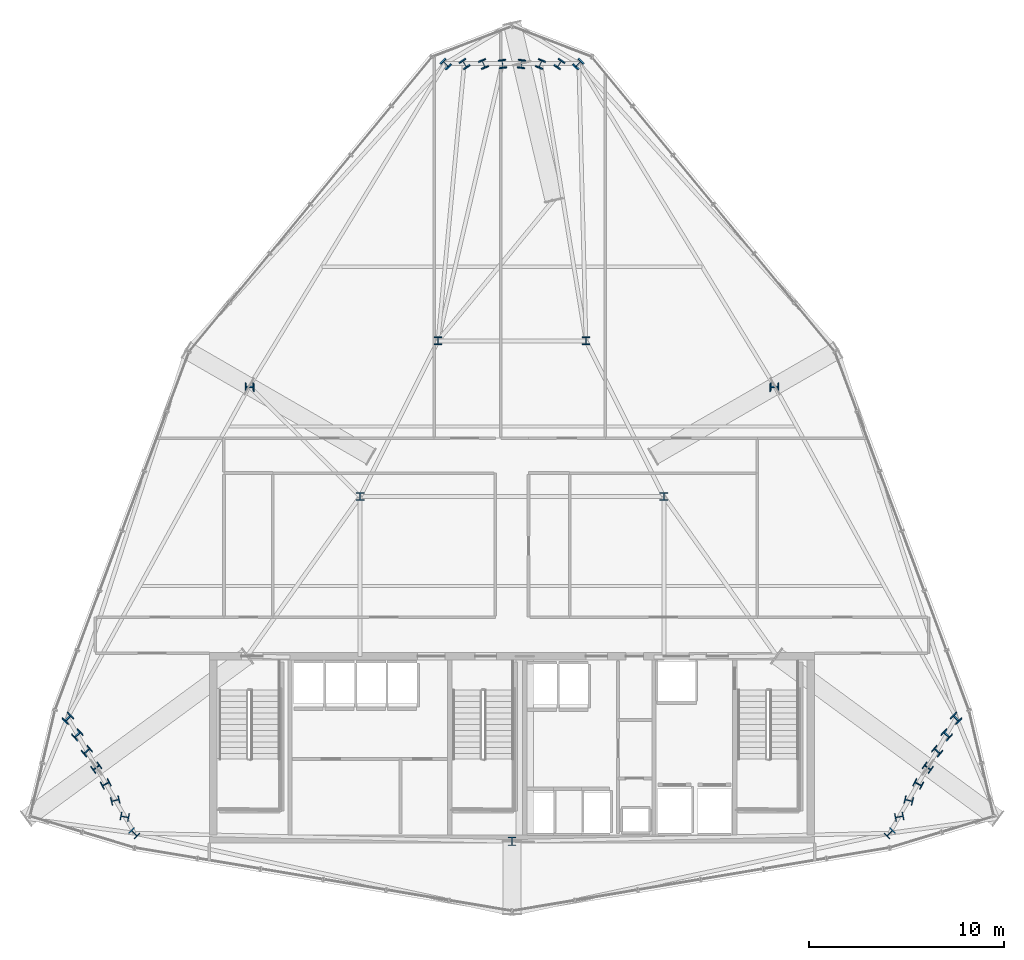
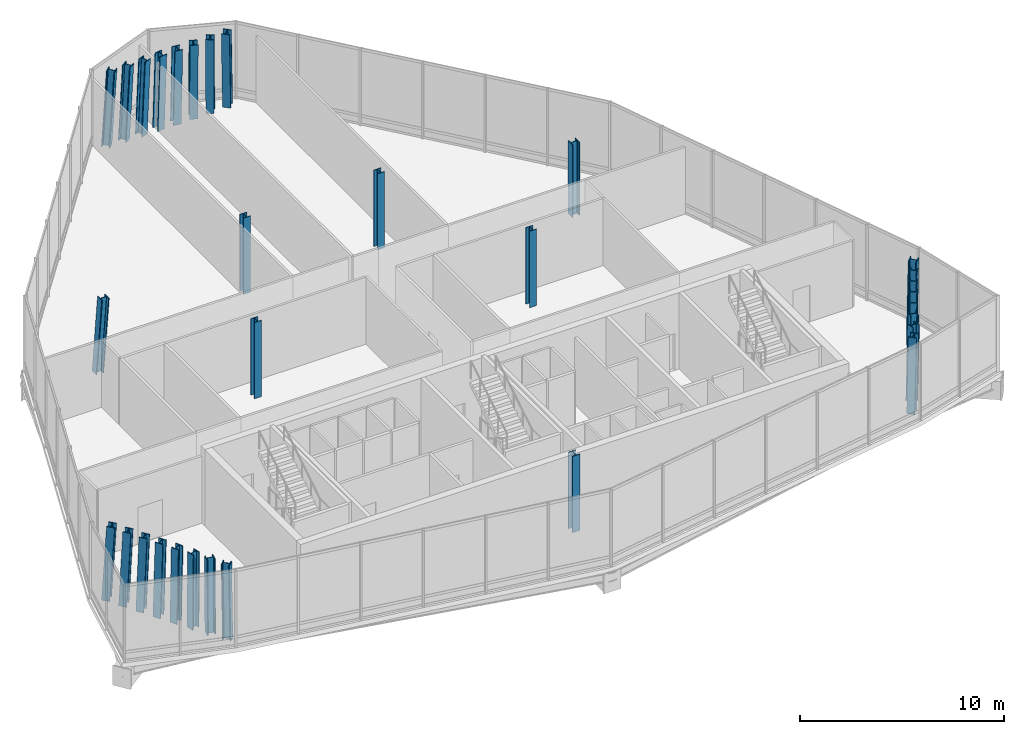
# One storey, part 1 of 28: 31 columns.
"""IFC4 building model written with IfcOpenShell, lengths in metres."""

from ifc_helpers import new_model, si_unit, direction, frame, origin, origin_2d, place, context, subcontext, project, spatial, i_section, extrude, material, material_profile, profile_set, type_object, element, save


model = new_model("IFC4")

# Units and contexts
model_context = context("Model", 3, precision=1e-05, world=origin(), true_north=direction((0.0, 1.0)))
body_context = subcontext(model_context, "Body", "Model", "MODEL_VIEW")
ifc_project = project(units=[si_unit("LENGTHUNIT", "METRE"), si_unit("AREAUNIT", "SQUARE_METRE"), si_unit("VOLUMEUNIT", "CUBIC_METRE"), si_unit("PLANEANGLEUNIT", "RADIAN"), si_unit("MASSUNIT", "GRAM", prefix="KILO")], contexts=[model_context])

# Site, building, storey
site_placement = place(None, origin())
site = spatial("IfcSite", under=ifc_project, at=site_placement, CompositionType="ELEMENT")
building_placement = place(site_placement, origin())
building = spatial("IfcBuilding", under=site, at=building_placement, Name="Ndaravel Arena Tower", CompositionType="ELEMENT")
storey_placement = place(building_placement, frame((0.0, 0.0, 213.199951171875)))
storey = spatial("IfcBuildingStorey", under=building, at=storey_placement, Name="L51", CompositionType="ELEMENT", Elevation=213.199951171875)

# Columns
ifc_material_1 = material(Name="Steel S355", Category="steel")
ifc_material_profile_1 = material_profile(ifc_material_1, i_section(OverallWidth=0.39892578125, OverallDepth=0.3935546875, WebThickness=0.022705078125, FlangeThickness=0.03662109375, FilletRadius=0.01513671875, at=origin_2d()), Name="UC 356x406x287")
ifc_profile_set_1 = profile_set([ifc_material_profile_1], Name="Steel S355")
column_type_1 = type_object("IfcColumnType", Name="COL-INT-UC287", PredefinedType="COLUMN", material=ifc_profile_set_1)
for number, where, z_axis, x_axis, name in (
    (1, (34.199951171875, 23.199951171875, 0.0), (0.0, 0.0, 1.0), (1.0, 0.0, 0.0), "L51 Interior Spine Column IC-01"),
    (2, (49.800048828125, 23.199951171875, 0.0), (0.0, 0.0, 1.0), (1.0, 0.0, 0.0), "L51 Interior Spine Column IC-02"),
    (3, (38.199951171875, 31.199951171875, 0.0), (0.0, 0.0, 1.0), (1.0, 0.0, 0.0), "L51 Interior Spine Column IC-03"),
    (4, (45.800048828125, 31.199951171875, 0.0), (0.0, 0.0, 1.0), (1.0, 0.0, 0.0), "L51 Interior Spine Column IC-04"),
):
    element("IfcColumn", number, at=place(storey_placement, frame(where, z_axis=z_axis, x_axis=x_axis)), inside=storey, type_object=column_type_1, Name=name, PredefinedType="COLUMN", context=body_context, shape_type="SweptSolid", body=[
        extrude(i_section(OverallWidth=0.39892578125, OverallDepth=0.3935546875, WebThickness=0.022705078125, FlangeThickness=0.03662109375, FilletRadius=0.01513671875, at=origin_2d()), origin(), (0.0, 0.0, 1.0), 4.580078125),
    ])
ifc_material_2 = material(Name="Steel S355", Category="steel")
ifc_material_profile_2 = material_profile(ifc_material_2, i_section(OverallWidth=0.412109375, OverallDepth=0.43505859375, WebThickness=0.035888671875, FlangeThickness=0.0439453125, FilletRadius=0.014892578125, at=origin_2d()), Name="HD 400x463")
ifc_profile_set_2 = profile_set([ifc_material_profile_2], Name="Steel S355")
column_type_2 = type_object("IfcColumnType", Name="COL-TUBE-HD463", PredefinedType="COLUMN", material=ifc_profile_set_2)
column_1_placement = place(storey_placement, frame((42.0, 5.47998046875, 0.0), z_axis=(0.0, 0.0, 1.0), x_axis=(1.0, 0.0, 0.0)))
element("IfcColumn", 5, at=column_1_placement, inside=storey, type_object=column_type_2, Name="L51 Framed Tube Column TC-01", PredefinedType="COLUMN", context=body_context, shape_type="SweptSolid", body=[
    extrude(i_section(OverallWidth=0.412109375, OverallDepth=0.43505859375, WebThickness=0.035888671875, FlangeThickness=0.0439453125, FilletRadius=0.014892578125, at=origin_2d()), origin(), (0.0, 0.0, 1.0), 4.580078125),
])
for number, where, z_axis, x_axis, name in (
    (6, (61.397216796875, 5.904541015625, 0.0), (0.01828031186, -0.004849878657, 0.999821138442), (-0.708699794834, 0.705320021308, 0.016378899337), "L51 Framed Tube Column TC-02"),
    (7, (61.88720703125, 6.753662109375, 0.0), (0.012737499781, -0.01449623406, 0.999813790312), (-0.195925481207, 0.980476372631, 0.016711927685), "L51 Framed Tube Column TC-03"),
):
    element("IfcColumn", number, at=place(storey_placement, frame(where, z_axis=z_axis, x_axis=x_axis)), inside=storey, type_object=column_type_2, Name=name, PredefinedType="COLUMN", context=body_context, shape_type="SweptSolid", body=[
        extrude(i_section(OverallWidth=0.412109375, OverallDepth=0.43505859375, WebThickness=0.035888671875, FlangeThickness=0.0439453125, FilletRadius=0.014892578125, at=origin_2d()), origin(), (0.0, 0.0, 1.0), 4.580810546875),
    ])
column_2_placement = place(storey_placement, frame((62.37744140625, 7.602783203125, 0.0), z_axis=(0.007140584367, -0.02419272614, 0.999681811406), x_axis=(0.234470484719, 0.971877762292, 0.021845067118)))
element("IfcColumn", 8, at=column_2_placement, inside=storey, type_object=column_type_2, Name="L51 Framed Tube Column TC-04", PredefinedType="COLUMN", context=body_context, shape_type="SweptSolid", body=[
    extrude(i_section(OverallWidth=0.412109375, OverallDepth=0.43505859375, WebThickness=0.035888671875, FlangeThickness=0.0439453125, FilletRadius=0.014892578125, at=origin_2d()), origin(), (0.0, 0.0, 1.0), 4.58154296875),
])
column_3_placement = place(storey_placement, frame((62.86767578125, 8.451904296875, 0.0), z_axis=(0.001544952789, -0.0338824129, 0.999424632084), x_axis=(0.460056130679, 0.887403827486, 0.02937351847)))
element("IfcColumn", 9, at=column_3_placement, inside=storey, type_object=column_type_2, Name="L51 Framed Tube Column TC-05", PredefinedType="COLUMN", context=body_context, shape_type="SweptSolid", body=[
    extrude(i_section(OverallWidth=0.412109375, OverallDepth=0.43505859375, WebThickness=0.035888671875, FlangeThickness=0.0439453125, FilletRadius=0.014892578125, at=origin_2d()), origin(), (0.0, 0.0, 1.0), 4.582763671875),
])
column_4_placement = place(storey_placement, frame((63.35791015625, 9.30078125, 0.0), z_axis=(-0.004047312636, -0.043455356721, 0.999047171675), x_axis=(0.578080494767, 0.815103907483, 0.037796316957)))
element("IfcColumn", 10, at=column_4_placement, inside=storey, type_object=column_type_2, Name="L51 Framed Tube Column TC-06", PredefinedType="COLUMN", context=body_context, shape_type="SweptSolid", body=[
    extrude(i_section(OverallWidth=0.412109375, OverallDepth=0.43505859375, WebThickness=0.035888671875, FlangeThickness=0.0439453125, FilletRadius=0.014892578125, at=origin_2d()), origin(), (0.0, 0.0, 1.0), 4.58447265625),
])
column_5_placement = place(storey_placement, frame((63.84814453125, 10.14990234375, 0.0), z_axis=(-0.009634116943, -0.0531207111, 0.99854162349), x_axis=(0.64629259386, 0.76165603359, 0.046754353998)))
element("IfcColumn", 11, at=column_5_placement, inside=storey, type_object=column_type_2, Name="L51 Framed Tube Column TC-07", PredefinedType="COLUMN", context=body_context, shape_type="SweptSolid", body=[
    extrude(i_section(OverallWidth=0.412109375, OverallDepth=0.43505859375, WebThickness=0.035888671875, FlangeThickness=0.0439453125, FilletRadius=0.014892578125, at=origin_2d()), origin(), (0.0, 0.0, 1.0), 4.586669921875),
])
column_6_placement = place(storey_placement, frame((64.33837890625, 10.9990234375, 0.0), z_axis=(-0.015160191607, -0.06276851262, 0.997912963346), x_axis=(0.688921453419, 0.722675544646, 0.055922161882)))
element("IfcColumn", 12, at=column_6_placement, inside=storey, type_object=column_type_2, Name="L51 Framed Tube Column TC-08", PredefinedType="COLUMN", context=body_context, shape_type="SweptSolid", body=[
    extrude(i_section(OverallWidth=0.412109375, OverallDepth=0.43505859375, WebThickness=0.035888671875, FlangeThickness=0.0439453125, FilletRadius=0.014892578125, at=origin_2d()), origin(), (0.0, 0.0, 1.0), 4.589599609375),
])
column_7_placement = place(storey_placement, frame((64.82861328125, 11.84814453125, 0.0), z_axis=(-0.020729963807, -0.07234225831, 0.997164412854), x_axis=(0.718540476241, 0.692424893906, 0.065171698632)))
element("IfcColumn", 13, at=column_7_placement, inside=storey, type_object=column_type_2, Name="L51 Framed Tube Column TC-09", PredefinedType="COLUMN", context=body_context, shape_type="SweptSolid", body=[
    extrude(i_section(OverallWidth=0.412109375, OverallDepth=0.43505859375, WebThickness=0.035888671875, FlangeThickness=0.0439453125, FilletRadius=0.014892578125, at=origin_2d()), origin(), (0.0, 0.0, 1.0), 4.593017578125),
])
column_8_placement = place(storey_placement, frame((55.497802734375, 28.858642578125, 0.0), z_axis=(-0.034089072868, -0.058977818738, 0.997677078021), x_axis=(-0.000520891795, 0.998258179369, 0.058994372563)))
element("IfcColumn", 14, at=column_8_placement, inside=storey, type_object=column_type_2, Name="L51 Framed Tube Column TC-10", PredefinedType="COLUMN", context=body_context, shape_type="SweptSolid", body=[
    extrude(i_section(OverallWidth=0.412109375, OverallDepth=0.43505859375, WebThickness=0.035888671875, FlangeThickness=0.0439453125, FilletRadius=0.014892578125, at=origin_2d()), origin(), (0.0, 0.0, 1.0), 4.5908203125),
])
column_9_placement = place(storey_placement, frame((45.431396484375, 45.44482421875, 0.0), z_axis=(-0.039010247389, -0.040766506821, 0.99840687724), x_axis=(0.722498451413, -0.691372539016, 0.0)))
element("IfcColumn", 15, at=column_9_placement, inside=storey, type_object=column_type_2, Name="L51 Framed Tube Column TC-11", PredefinedType="COLUMN", context=body_context, shape_type="SweptSolid", body=[
    extrude(i_section(OverallWidth=0.412109375, OverallDepth=0.43505859375, WebThickness=0.035888671875, FlangeThickness=0.0439453125, FilletRadius=0.014892578125, at=origin_2d()), origin(), (0.0, 0.0, 1.0), 4.58740234375),
])
column_10_placement = place(storey_placement, frame((44.451171875, 45.44482421875, 0.0), z_axis=(-0.027897652231, -0.04078168246, 0.998778541708), x_axis=(0.825360115812, -0.564606658858, 0.0)))
element("IfcColumn", 16, at=column_10_placement, inside=storey, type_object=column_type_2, Name="L51 Framed Tube Column TC-12", PredefinedType="COLUMN", context=body_context, shape_type="SweptSolid", body=[
    extrude(i_section(OverallWidth=0.412109375, OverallDepth=0.43505859375, WebThickness=0.035888671875, FlangeThickness=0.0439453125, FilletRadius=0.014892578125, at=origin_2d()), origin(), (0.0, 0.0, 1.0), 4.585693359375),
])
column_11_placement = place(storey_placement, frame((43.470703125, 45.44482421875, 0.0), z_axis=(-0.016774704484, -0.040791821062, 0.999026844796), x_axis=(0.924853035137, -0.380324681551, 0.0)))
element("IfcColumn", 17, at=column_11_placement, inside=storey, type_object=column_type_2, Name="L51 Framed Tube Column TC-13", PredefinedType="COLUMN", context=body_context, shape_type="SweptSolid", body=[
    extrude(i_section(OverallWidth=0.412109375, OverallDepth=0.43505859375, WebThickness=0.035888671875, FlangeThickness=0.0439453125, FilletRadius=0.014892578125, at=origin_2d()), origin(), (0.0, 0.0, 1.0), 4.58447265625),
])
for number, where, z_axis, x_axis, name in (
    (18, (42.490234375, 45.44482421875, 0.0), (-0.005592267588, -0.040796923547, 0.999151809072), (0.990735479765, -0.135805777252, 0.0), "L51 Framed Tube Column TC-14"),
    (19, (41.509765625, 45.44482421875, 0.0), (0.005592267588, -0.040796923547, 0.999151809072), (0.990735479765, 0.135805777252, 0.0), "L51 Framed Tube Column TC-15"),
):
    element("IfcColumn", number, at=place(storey_placement, frame(where, z_axis=z_axis, x_axis=x_axis)), inside=storey, type_object=column_type_2, Name=name, PredefinedType="COLUMN", context=body_context, shape_type="SweptSolid", body=[
        extrude(i_section(OverallWidth=0.412109375, OverallDepth=0.43505859375, WebThickness=0.035888671875, FlangeThickness=0.0439453125, FilletRadius=0.014892578125, at=origin_2d()), origin(), (0.0, 0.0, 1.0), 4.583984375),
    ])
column_12_placement = place(storey_placement, frame((40.529296875, 45.44482421875, 0.0), z_axis=(0.016774704484, -0.040791821062, 0.999026844796), x_axis=(0.924853035137, 0.380324681551, 0.0)))
element("IfcColumn", 20, at=column_12_placement, inside=storey, type_object=column_type_2, Name="L51 Framed Tube Column TC-16", PredefinedType="COLUMN", context=body_context, shape_type="SweptSolid", body=[
    extrude(i_section(OverallWidth=0.412109375, OverallDepth=0.43505859375, WebThickness=0.035888671875, FlangeThickness=0.0439453125, FilletRadius=0.014892578125, at=origin_2d()), origin(), (0.0, 0.0, 1.0), 4.58447265625),
])
column_13_placement = place(storey_placement, frame((39.548828125, 45.44482421875, 0.0), z_axis=(0.027897652231, -0.04078168246, 0.998778541708), x_axis=(0.825360115812, 0.564606658858, 0.0)))
element("IfcColumn", 21, at=column_13_placement, inside=storey, type_object=column_type_2, Name="L51 Framed Tube Column TC-17", PredefinedType="COLUMN", context=body_context, shape_type="SweptSolid", body=[
    extrude(i_section(OverallWidth=0.412109375, OverallDepth=0.43505859375, WebThickness=0.035888671875, FlangeThickness=0.0439453125, FilletRadius=0.014892578125, at=origin_2d()), origin(), (0.0, 0.0, 1.0), 4.585693359375),
])
column_14_placement = place(storey_placement, frame((38.568603515625, 45.44482421875, 0.0), z_axis=(0.039010247389, -0.040766506821, 0.99840687724), x_axis=(0.722498451413, 0.691372539016, 0.0)))
element("IfcColumn", 22, at=column_14_placement, inside=storey, type_object=column_type_2, Name="L51 Framed Tube Column TC-18", PredefinedType="COLUMN", context=body_context, shape_type="SweptSolid", body=[
    extrude(i_section(OverallWidth=0.412109375, OverallDepth=0.43505859375, WebThickness=0.035888671875, FlangeThickness=0.0439453125, FilletRadius=0.014892578125, at=origin_2d()), origin(), (0.0, 0.0, 1.0), 4.58740234375),
])
column_15_placement = place(storey_placement, frame((28.502197265625, 28.858642578125, 0.0), z_axis=(0.034089072868, -0.058977818738, 0.997677078021), x_axis=(0.000520891795, 0.998258179369, 0.058994372563)))
element("IfcColumn", 23, at=column_15_placement, inside=storey, type_object=column_type_2, Name="L51 Framed Tube Column TC-19", PredefinedType="COLUMN", context=body_context, shape_type="SweptSolid", body=[
    extrude(i_section(OverallWidth=0.412109375, OverallDepth=0.43505859375, WebThickness=0.035888671875, FlangeThickness=0.0439453125, FilletRadius=0.014892578125, at=origin_2d()), origin(), (0.0, 0.0, 1.0), 4.5908203125),
])
column_16_placement = place(storey_placement, frame((19.17138671875, 11.84814453125, 0.0), z_axis=(0.020729963807, -0.07234225831, 0.997164412854), x_axis=(-0.718540476241, 0.692424893906, 0.065171698632)))
element("IfcColumn", 24, at=column_16_placement, inside=storey, type_object=column_type_2, Name="L51 Framed Tube Column TC-20", PredefinedType="COLUMN", context=body_context, shape_type="SweptSolid", body=[
    extrude(i_section(OverallWidth=0.412109375, OverallDepth=0.43505859375, WebThickness=0.035888671875, FlangeThickness=0.0439453125, FilletRadius=0.014892578125, at=origin_2d()), origin(), (0.0, 0.0, 1.0), 4.593017578125),
])
column_17_placement = place(storey_placement, frame((19.66162109375, 10.9990234375, 0.0), z_axis=(0.015160191607, -0.06276851262, 0.997912963346), x_axis=(-0.688921453419, 0.722675544646, 0.055922161882)))
element("IfcColumn", 25, at=column_17_placement, inside=storey, type_object=column_type_2, Name="L51 Framed Tube Column TC-21", PredefinedType="COLUMN", context=body_context, shape_type="SweptSolid", body=[
    extrude(i_section(OverallWidth=0.412109375, OverallDepth=0.43505859375, WebThickness=0.035888671875, FlangeThickness=0.0439453125, FilletRadius=0.014892578125, at=origin_2d()), origin(), (0.0, 0.0, 1.0), 4.589599609375),
])
column_18_placement = place(storey_placement, frame((20.15185546875, 10.14990234375, 0.0), z_axis=(0.009634116943, -0.0531207111, 0.99854162349), x_axis=(-0.64629259386, 0.76165603359, 0.046754353998)))
element("IfcColumn", 26, at=column_18_placement, inside=storey, type_object=column_type_2, Name="L51 Framed Tube Column TC-22", PredefinedType="COLUMN", context=body_context, shape_type="SweptSolid", body=[
    extrude(i_section(OverallWidth=0.412109375, OverallDepth=0.43505859375, WebThickness=0.035888671875, FlangeThickness=0.0439453125, FilletRadius=0.014892578125, at=origin_2d()), origin(), (0.0, 0.0, 1.0), 4.586669921875),
])
column_19_placement = place(storey_placement, frame((20.64208984375, 9.30078125, 0.0), z_axis=(0.004047312636, -0.043455356721, 0.999047171675), x_axis=(-0.578080494767, 0.815103907483, 0.037796316957)))
element("IfcColumn", 27, at=column_19_placement, inside=storey, type_object=column_type_2, Name="L51 Framed Tube Column TC-23", PredefinedType="COLUMN", context=body_context, shape_type="SweptSolid", body=[
    extrude(i_section(OverallWidth=0.412109375, OverallDepth=0.43505859375, WebThickness=0.035888671875, FlangeThickness=0.0439453125, FilletRadius=0.014892578125, at=origin_2d()), origin(), (0.0, 0.0, 1.0), 4.58447265625),
])
column_20_placement = place(storey_placement, frame((21.13232421875, 8.451904296875, 0.0), z_axis=(-0.001544952789, -0.0338824129, 0.999424632084), x_axis=(-0.460056130679, 0.887403827486, 0.02937351847)))
element("IfcColumn", 28, at=column_20_placement, inside=storey, type_object=column_type_2, Name="L51 Framed Tube Column TC-24", PredefinedType="COLUMN", context=body_context, shape_type="SweptSolid", body=[
    extrude(i_section(OverallWidth=0.412109375, OverallDepth=0.43505859375, WebThickness=0.035888671875, FlangeThickness=0.0439453125, FilletRadius=0.014892578125, at=origin_2d()), origin(), (0.0, 0.0, 1.0), 4.582763671875),
])
column_21_placement = place(storey_placement, frame((21.62255859375, 7.602783203125, 0.0), z_axis=(-0.007140584367, -0.02419272614, 0.999681811406), x_axis=(-0.234470484719, 0.971877762292, 0.021845067118)))
element("IfcColumn", 29, at=column_21_placement, inside=storey, type_object=column_type_2, Name="L51 Framed Tube Column TC-25", PredefinedType="COLUMN", context=body_context, shape_type="SweptSolid", body=[
    extrude(i_section(OverallWidth=0.412109375, OverallDepth=0.43505859375, WebThickness=0.035888671875, FlangeThickness=0.0439453125, FilletRadius=0.014892578125, at=origin_2d()), origin(), (0.0, 0.0, 1.0), 4.58154296875),
])
for number, where, z_axis, x_axis, name in (
    (30, (22.11279296875, 6.753662109375, 0.0), (-0.012737499781, -0.01449623406, 0.999813790312), (0.195925481207, 0.980476372631, 0.016711927685), "L51 Framed Tube Column TC-26"),
    (31, (22.602783203125, 5.904541015625, 0.0), (-0.01828031186, -0.004849878657, 0.999821138442), (0.708699794834, 0.705320021308, 0.016378899337), "L51 Framed Tube Column TC-27"),
):
    element("IfcColumn", number, at=place(storey_placement, frame(where, z_axis=z_axis, x_axis=x_axis)), inside=storey, type_object=column_type_2, Name=name, PredefinedType="COLUMN", context=body_context, shape_type="SweptSolid", body=[
        extrude(i_section(OverallWidth=0.412109375, OverallDepth=0.43505859375, WebThickness=0.035888671875, FlangeThickness=0.0439453125, FilletRadius=0.014892578125, at=origin_2d()), origin(), (0.0, 0.0, 1.0), 4.580810546875),
    ])

save(model, "model.ifc")
